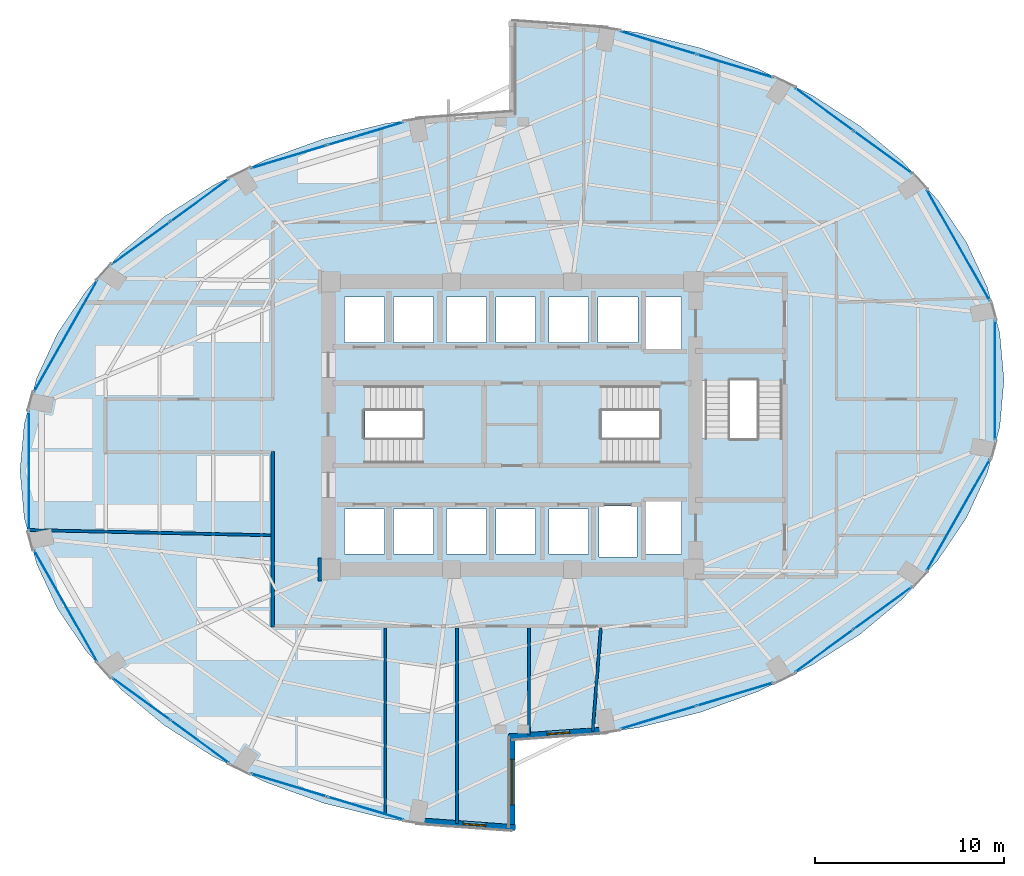
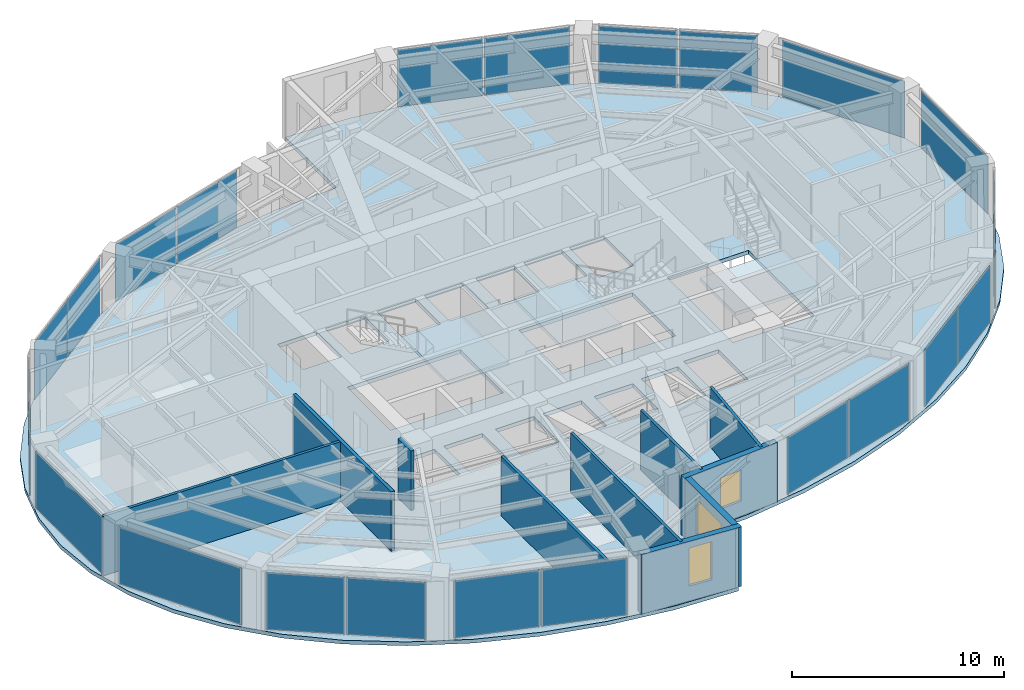
# One storey, part 18 of 23: 22 plates, 10 walls, 4 slabs, 3 windows, 3 openings, 17 elements without a shape of their own.
"""IFC4 building model written with IfcOpenShell, lengths in metres."""

import ifcopenshell
import ifcopenshell.guid

model = None  # the IFC model being written
_history = None  # IfcOwnerHistory: only IFC2X3 demands one
_inside = {}  # id of a spatial element -> (the spatial element, [elements in it])
_under = {}  # id of a project, library or spatial element -> (it, [spatial elements below it])
_declared = {}  # id of a project -> (the project, [libraries it declares])
_typed = {}  # id of a type object -> (the type object, [elements of that type])
_made_of = {}  # id of a material, layer set ... -> (it, [elements and type objects made of it])


def new_model(schema):
    """Start an empty IFC model of exactly this schema.

    Asked for "IFC4X3", IfcOpenShell would pick the latest addendum, in which some entities
    have other attributes; the version numbers below select the first issue.
    IFC2X3 requires an IfcOwnerHistory on every rooted entity: one is made here for all.
    """
    global model, _history
    if schema == "IFC4X3":
        model = ifcopenshell.file(schema_version=(4, 3, 0, 0))
    else:
        model = ifcopenshell.file(schema=schema)
    _inside.clear()
    _under.clear()
    _declared.clear()
    _typed.clear()
    _made_of.clear()
    _history = None
    if model.schema == "IFC2X3":
        org = make("IfcOrganization", Name="unknown")
        user = make(
            "IfcPersonAndOrganization",
            ThePerson=make("IfcPerson", FamilyName="unknown"),
            TheOrganization=org,
        )
        app = make(
            "IfcApplication",
            ApplicationDeveloper=org,
            Version="unknown",
            ApplicationFullName="unknown",
            ApplicationIdentifier="unknown",
        )
        _history = make(
            "IfcOwnerHistory",
            OwningUser=user,
            OwningApplication=app,
            ChangeAction="ADDED",
            CreationDate=0,
        )
    return model


def make(cls, **values):
    """One entity of the class cls with the attributes given. An attribute that is None is left unset."""
    return model.create_entity(
        cls, **{name: value for name, value in values.items() if value is not None}
    )


def rooted(cls, **values):
    """An entity with a GlobalId (a new one), such as an element, a storey or a relation."""
    return make(cls, GlobalId=ifcopenshell.guid.new(), OwnerHistory=_history, **values)


def si_unit(unit_type, name, prefix=None):
    """IfcSIUnit, for example si_unit("LENGTHUNIT", "METRE", prefix="MILLI")."""
    return make("IfcSIUnit", UnitType=unit_type, Prefix=prefix, Name=name)


def assignment(units):
    """IfcUnitAssignment: the units of a project."""
    return None if units is None else make("IfcUnitAssignment", Units=units)


def point(xyz):
    """IfcCartesianPoint."""
    return None if xyz is None else make("IfcCartesianPoint", Coordinates=xyz)


def direction(xyz):
    """IfcDirection."""
    return None if xyz is None else make("IfcDirection", DirectionRatios=xyz)


def frame(location, z_axis=None, x_axis=None):
    """IfcAxis2Placement3D, a coordinate frame: its origin and axes. An axis left out is left unset."""
    return make(
        "IfcAxis2Placement3D",
        Location=point(location),
        Axis=direction(z_axis),
        RefDirection=direction(x_axis),
    )


def frame_2d(location, x_axis=None):
    """IfcAxis2Placement2D, a coordinate frame in the plane: its origin and x axis."""
    return make(
        "IfcAxis2Placement2D", Location=point(location), RefDirection=direction(x_axis)
    )


def origin():
    """The frame at (0, 0, 0) with its axes left unset."""
    return frame((0.0, 0.0, 0.0))


def origin_2d():
    """The frame at (0, 0) in the plane with its x axis left unset."""
    return frame_2d((0.0, 0.0))


def place(relative_to, where):
    """IfcLocalPlacement: puts the frame where relative to a parent placement (None: the world)."""
    return make(
        "IfcLocalPlacement", PlacementRelTo=relative_to, RelativePlacement=where
    )


def context(
    kind, dimensions, precision=None, world=None, true_north=None, identifier=None
):
    """IfcGeometricRepresentationContext, for example the 3D "Model" context."""
    return make(
        "IfcGeometricRepresentationContext",
        ContextIdentifier=identifier,
        ContextType=kind,
        CoordinateSpaceDimension=dimensions,
        Precision=precision,
        WorldCoordinateSystem=world,
        TrueNorth=true_north,
    )


def subcontext(parent, identifier, kind, view, scale=None):
    """IfcGeometricRepresentationSubContext, for example "Body" below "Model"."""
    return make(
        "IfcGeometricRepresentationSubContext",
        ContextIdentifier=identifier,
        ContextType=kind,
        ParentContext=parent,
        TargetScale=scale,
        TargetView=view,
    )


def project(units=None, contexts=None):
    """IfcProject with its units and contexts."""
    return rooted(
        "IfcProject",
        Name="project",
        RepresentationContexts=contexts,
        UnitsInContext=assignment(units),
    )


def spatial(cls, under=None, at=None, **own):
    """A site, building, storey or space (cls), placed at a placement, below another one or the project."""
    s = rooted(cls, ObjectPlacement=at, **own)
    if under is not None:
        _under.setdefault(under.id(), (under, []))[1].append(s)
    return s


def polyline(points):
    """IfcPolyline through the points."""
    return make("IfcPolyline", Points=[point(p) for p in points])


def profile(cls, at=None, kind="AREA", **sizes):
    """A parametric profile (cls). Its sizes go by their IFC names, for example OverallWidth=200.0."""
    return make(cls, ProfileType=kind, Position=at, **sizes)


def rectangle(**sizes):
    """IfcRectangleProfileDef."""
    return profile("IfcRectangleProfileDef", **sizes)


def outline(outer, holes=None, kind="AREA"):
    """IfcArbitraryClosedProfileDef: a profile drawn as a closed curve; with holes, ...WithVoids."""
    if holes is None:
        return make("IfcArbitraryClosedProfileDef", ProfileType=kind, OuterCurve=outer)
    return make(
        "IfcArbitraryProfileDefWithVoids",
        ProfileType=kind,
        OuterCurve=outer,
        InnerCurves=holes,
    )


def extrude(swept, where, along, depth):
    """IfcExtrudedAreaSolid: the profile swept, set in the frame where, extruded along a direction by depth."""
    return make(
        "IfcExtrudedAreaSolid",
        SweptArea=swept,
        Position=where,
        ExtrudedDirection=direction(along),
        Depth=depth,
    )


def shape(context_of_items, identifier, shape_type, items):
    """IfcShapeRepresentation: the items that make up one representation, for example the "Body"."""
    return make(
        "IfcShapeRepresentation",
        ContextOfItems=context_of_items,
        RepresentationIdentifier=identifier,
        RepresentationType=shape_type,
        Items=items,
    )


def material(Name=None, Category=None):
    """IfcMaterial."""
    return make("IfcMaterial", Name=Name, Category=Category)


def layer(
    of_material, thickness, ventilated=None, Name=None, Category=None, Priority=None
):
    """IfcMaterialLayer: one layer of a wall or slab, of a material (None: an air gap)."""
    return make(
        "IfcMaterialLayer",
        Material=of_material,
        LayerThickness=thickness,
        IsVentilated=ventilated,
        Name=Name,
        Category=Category,
        Priority=Priority,
    )


def layer_set(layers, Name=None):
    """IfcMaterialLayerSet."""
    return make("IfcMaterialLayerSet", MaterialLayers=layers, LayerSetName=Name)


def made_of(thing, what):
    """Note that an element or type object is made of a material, layer set ...; save() writes the relation."""
    if what is not None:
        _made_of.setdefault(what.id(), (what, []))[1].append(thing)
    return thing


def type_object(cls, material=None, **own):
    """A type object (cls), such as IfcWallType, which elements share."""
    return made_of(rooted(cls, **own), material)


def element(
    cls,
    number,
    at=None,
    inside=None,
    cuts=None,
    type_object=None,
    material=None,
    context=None,
    identifier="Body",
    shape_type=None,
    held_by="IfcProductDefinitionShape",
    body=None,
    shapes=None,
    **own,
):
    """One element of the class cls, such as IfcWall. Its Tag is "e" and its number.

    at: its placement. inside: the storey or other place that contains it. cuts: it is an
    opening in that element (IfcRelVoidsElement). A single representation is given by context,
    identifier, shape_type and body (its items); several are given by shapes. held_by: the class
    of the entity that holds the representations. save() writes the other relations.
    """
    e = rooted(cls, Tag="e%d" % number, ObjectPlacement=at, **own)
    if body is not None:
        shapes = [shape(context, identifier, shape_type, body)]
    if shapes is not None:
        e.Representation = make(held_by, Representations=shapes)
    if inside is not None:
        _inside.setdefault(inside.id(), (inside, []))[1].append(e)
    if cuts is not None:
        rooted(
            "IfcRelVoidsElement", RelatingBuildingElement=cuts, RelatedOpeningElement=e
        )
    if type_object is not None:
        _typed.setdefault(type_object.id(), (type_object, []))[1].append(e)
    return made_of(e, material)


def fill(opening, filler):
    """IfcRelFillsElement: the door or window that sits in an opening."""
    return rooted(
        "IfcRelFillsElement",
        RelatingOpeningElement=opening,
        RelatedBuildingElement=filler,
    )


def aggregate(whole, parts):
    """IfcRelAggregates: a whole, such as a stair, and the parts it consists of."""
    return rooted("IfcRelAggregates", RelatingObject=whole, RelatedObjects=parts)


def save(model, path):
    """Write the relations noted so far, then the file.

    IfcRelAggregates (storeys below a building ...), IfcRelContainedInSpatialStructure (elements
    in a storey), IfcRelDefinesByType, IfcRelAssociatesMaterial and IfcRelDeclares: one each for
    every whole, place, type object, material and project.
    """
    for whole, parts in _under.values():
        aggregate(whole, parts)
    for where, things in _inside.values():
        rooted(
            "IfcRelContainedInSpatialStructure",
            RelatedElements=things,
            RelatingStructure=where,
        )
    for kind, things in _typed.values():
        rooted("IfcRelDefinesByType", RelatedObjects=things, RelatingType=kind)
    for what, things in _made_of.values():
        rooted("IfcRelAssociatesMaterial", RelatedObjects=things, RelatingMaterial=what)
    for by, libraries in _declared.values():
        rooted("IfcRelDeclares", RelatingContext=by, RelatedDefinitions=libraries)
    model.write(path)


model = new_model("IFC4")

# Units and contexts
model_context = context("Model", 3, precision=1e-05, world=origin(), true_north=direction((0.0, 1.0)))
body_context = subcontext(model_context, "Body", "Model", "MODEL_VIEW")
ifc_project = project(units=[si_unit("LENGTHUNIT", "METRE"), si_unit("AREAUNIT", "SQUARE_METRE"), si_unit("VOLUMEUNIT", "CUBIC_METRE"), si_unit("PLANEANGLEUNIT", "RADIAN"), si_unit("MASSUNIT", "GRAM", prefix="KILO")], contexts=[model_context])

# Site, building, storey
site_placement = place(None, origin())
site = spatial("IfcSite", under=ifc_project, at=site_placement, CompositionType="ELEMENT")
building_placement = place(site_placement, origin())
building = spatial("IfcBuilding", under=site, at=building_placement, Name="Lazwardi Medical Tower", CompositionType="ELEMENT")
storey_placement = place(building_placement, frame((0.0, 0.0, 85.39208984375)))
storey = spatial("IfcBuildingStorey", under=building, at=storey_placement, Name="L21", CompositionType="ELEMENT", Elevation=85.39208984375)

# Curtain wall, plates
ifc_material_1 = material(Name="Anodised bronze aluminium and solar control glazing", Category="aluminium")
ifc_layer_1 = layer(ifc_material_1, 0.195068359375)
ifc_layer_set_1 = layer_set([ifc_layer_1], Name="Anodised bronze aluminium and solar control glazing")
curtain_wall_type = type_object("IfcCurtainWallType", Name="CW-SYS-03", PredefinedType="NOTDEFINED", material=ifc_layer_set_1)
curtain_wall_1_placement = place(storey_placement, origin())
curtain_wall_1 = element("IfcCurtainWall", 1, at=curtain_wall_1_placement, inside=storey, type_object=curtain_wall_type, Name="L21 Unitised bronze curtain wall CW-03", PredefinedType="NOTDEFINED")
ifc_material_2 = material(Name="Low-e bronze solar control double glazing", Category="glass")
ifc_layer_2 = layer(ifc_material_2, 0.035888671875)
ifc_layer_set_2 = layer_set([ifc_layer_2], Name="Low-e bronze solar control double glazing")
plate_type = type_object("IfcPlateType", Name="PLT-GLZ-01", PredefinedType="CURTAIN_PANEL", material=ifc_layer_set_2)
plate_1_placement = place(storey_placement, frame((43.73974609375, 12.573486328125, 0.07470703125), z_axis=(0.0, 0.0, 1.0), x_axis=(0.957216170558, 0.28937381157, 0.0)))
plate_1 = element("IfcPlate", 2, at=plate_1_placement, type_object=plate_type, Name="CW-03 panel 1.1", PredefinedType="CURTAIN_PANEL", context=body_context, shape_type="SweptSolid", body=[
    extrude(rectangle(XDim=4.16552734375, YDim=0.035888671875, at=origin_2d()), origin(), (0.0, 0.0, 1.0), 3.278076171875),
])
plate_2_placement = place(storey_placement, frame((47.798828125, 13.800537109375, 0.07470703125), z_axis=(0.0, 0.0, 1.0), x_axis=(0.957216170558, 0.28937381157, 0.0)))
plate_2 = element("IfcPlate", 3, at=plate_2_placement, type_object=plate_type, Name="CW-03 panel 2.1", PredefinedType="CURTAIN_PANEL", context=body_context, shape_type="SweptSolid", body=[
    extrude(rectangle(XDim=4.16552734375, YDim=0.035888671875, at=origin_2d()), origin(), (0.0, 0.0, 1.0), 3.278076171875),
])
aggregate(curtain_wall_1, [plate_1, plate_2])

curtain_wall_2_placement = place(storey_placement, origin())
curtain_wall_2 = element("IfcCurtainWall", 4, at=curtain_wall_2_placement, inside=storey, type_object=curtain_wall_type, Name="L21 Unitised bronze curtain wall CW-03", PredefinedType="NOTDEFINED")
plate_3_placement = place(storey_placement, frame((52.4990234375, 16.093017578125, 0.07470703125), z_axis=(0.0, 0.0, 1.0), x_axis=(0.807745837639, 0.589530882802, 0.0)))
plate_3 = element("IfcPlate", 5, at=plate_3_placement, type_object=plate_type, Name="CW-03 panel 1.1", PredefinedType="CURTAIN_PANEL", context=body_context, shape_type="SweptSolid", body=[
    extrude(rectangle(XDim=3.767578125, YDim=0.035888671875, at=origin_2d()), origin(), (0.0, 0.0, 1.0), 3.278076171875),
])
plate_4_placement = place(storey_placement, frame((55.60302734375, 18.3583984375, 0.07470703125), z_axis=(0.0, 0.0, 1.0), x_axis=(0.807745837639, 0.589530882802, 0.0)))
plate_4 = element("IfcPlate", 6, at=plate_4_placement, type_object=plate_type, Name="CW-03 panel 2.1", PredefinedType="CURTAIN_PANEL", context=body_context, shape_type="SweptSolid", body=[
    extrude(rectangle(XDim=3.767578125, YDim=0.035888671875, at=origin_2d()), origin(), (0.0, 0.0, 1.0), 3.278076171875),
])
aggregate(curtain_wall_2, [plate_3, plate_4])

# Curtain wall, plate
curtain_wall_3_placement = place(storey_placement, origin())
curtain_wall_3 = element("IfcCurtainWall", 7, at=curtain_wall_3_placement, inside=storey, type_object=curtain_wall_type, Name="L21 Unitised bronze curtain wall CW-03", PredefinedType="NOTDEFINED")
plate_5_placement = place(storey_placement, frame((59.5849609375, 23.270263671875, 0.07470703125), z_axis=(0.0, 0.0, 1.0), x_axis=(0.493603140041, 0.869687265712, 0.0)))
plate_5 = element("IfcPlate", 8, at=plate_5_placement, type_object=plate_type, Name="CW-03 panel 1.1", PredefinedType="CURTAIN_PANEL", context=body_context, shape_type="SweptSolid", body=[
    extrude(rectangle(XDim=6.722900390625, YDim=0.035888671875, at=origin_2d()), origin(), (0.0, 0.0, 1.0), 3.278076171875),
])
aggregate(curtain_wall_3, [plate_5])

curtain_wall_4_placement = place(storey_placement, origin())
curtain_wall_4 = element("IfcCurtainWall", 9, at=curtain_wall_4_placement, inside=storey, type_object=curtain_wall_type, Name="L21 Unitised bronze curtain wall CW-03", PredefinedType="NOTDEFINED")
plate_6_placement = place(storey_placement, frame((61.528076171875, 30.39990234375, 0.07470703125), z_axis=(0.0, 0.0, 1.0), x_axis=(0.0, 1.0, 0.0)))
plate_6 = element("IfcPlate", 10, at=plate_6_placement, type_object=plate_type, Name="CW-03 panel 1.1", PredefinedType="CURTAIN_PANEL", context=body_context, shape_type="SweptSolid", body=[
    extrude(rectangle(XDim=6.31982421875, YDim=0.035888671875, at=origin_2d()), origin(), (0.0, 0.0, 1.0), 3.278076171875),
])
aggregate(curtain_wall_4, [plate_6])

curtain_wall_5_placement = place(storey_placement, origin())
curtain_wall_5 = element("IfcCurtainWall", 11, at=curtain_wall_5_placement, inside=storey, type_object=curtain_wall_type, Name="L21 Unitised bronze curtain wall CW-03", PredefinedType="NOTDEFINED")
plate_7_placement = place(storey_placement, frame((59.5849609375, 37.52978515625, 0.07470703125), z_axis=(0.0, 0.0, 1.0), x_axis=(-0.493603140041, 0.869687265712, 0.0)))
plate_7 = element("IfcPlate", 12, at=plate_7_placement, type_object=plate_type, Name="CW-03 panel 1.1", PredefinedType="CURTAIN_PANEL", context=body_context, shape_type="SweptSolid", body=[
    extrude(rectangle(XDim=6.722900390625, YDim=0.035888671875, at=origin_2d()), origin(), (0.0, 0.0, 1.0), 3.278076171875),
])
aggregate(curtain_wall_5, [plate_7])

# Curtain wall, plates
curtain_wall_6_placement = place(storey_placement, origin())
curtain_wall_6 = element("IfcCurtainWall", 13, at=curtain_wall_6_placement, inside=storey, type_object=curtain_wall_type, Name="L21 Unitised bronze curtain wall CW-03", PredefinedType="NOTDEFINED")
plate_8_placement = place(storey_placement, frame((55.60302734375, 42.441650390625, 0.07470703125), z_axis=(0.0, 0.0, 1.0), x_axis=(-0.807745837639, 0.589530882802, 0.0)))
plate_8 = element("IfcPlate", 14, at=plate_8_placement, type_object=plate_type, Name="CW-03 panel 1.1", PredefinedType="CURTAIN_PANEL", context=body_context, shape_type="SweptSolid", body=[
    extrude(rectangle(XDim=3.767578125, YDim=0.035888671875, at=origin_2d()), origin(), (0.0, 0.0, 1.0), 3.278076171875),
])
plate_9_placement = place(storey_placement, frame((52.4990234375, 44.70703125, 0.07470703125), z_axis=(0.0, 0.0, 1.0), x_axis=(-0.807745837639, 0.589530882802, 0.0)))
plate_9 = element("IfcPlate", 15, at=plate_9_placement, type_object=plate_type, Name="CW-03 panel 2.1", PredefinedType="CURTAIN_PANEL", context=body_context, shape_type="SweptSolid", body=[
    extrude(rectangle(XDim=3.767578125, YDim=0.035888671875, at=origin_2d()), origin(), (0.0, 0.0, 1.0), 3.278076171875),
])
aggregate(curtain_wall_6, [plate_8, plate_9])

curtain_wall_7_placement = place(storey_placement, origin())
curtain_wall_7 = element("IfcCurtainWall", 16, at=curtain_wall_7_placement, inside=storey, type_object=curtain_wall_type, Name="L21 Unitised bronze curtain wall CW-03", PredefinedType="NOTDEFINED")
plate_10_placement = place(storey_placement, frame((47.798828125, 46.99951171875, 0.07470703125), z_axis=(0.0, 0.0, 1.0), x_axis=(-0.957216170558, 0.28937381157, 0.0)))
plate_10 = element("IfcPlate", 17, at=plate_10_placement, type_object=plate_type, Name="CW-03 panel 1.1", PredefinedType="CURTAIN_PANEL", context=body_context, shape_type="SweptSolid", body=[
    extrude(rectangle(XDim=4.16552734375, YDim=0.035888671875, at=origin_2d()), origin(), (0.0, 0.0, 1.0), 3.278076171875),
])
plate_11_placement = place(storey_placement, frame((43.73974609375, 48.2265625, 0.07470703125), z_axis=(0.0, 0.0, 1.0), x_axis=(-0.957216170558, 0.28937381157, 0.0)))
plate_11 = element("IfcPlate", 18, at=plate_11_placement, type_object=plate_type, Name="CW-03 panel 2.1", PredefinedType="CURTAIN_PANEL", context=body_context, shape_type="SweptSolid", body=[
    extrude(rectangle(XDim=4.16552734375, YDim=0.035888671875, at=origin_2d()), origin(), (0.0, 0.0, 1.0), 3.278076171875),
])
aggregate(curtain_wall_7, [plate_10, plate_11])

curtain_wall_8_placement = place(storey_placement, origin())
curtain_wall_8 = element("IfcCurtainWall", 19, at=curtain_wall_8_placement, inside=storey, type_object=curtain_wall_type, Name="L21 Unitised bronze curtain wall CW-03", PredefinedType="NOTDEFINED")
plate_12_placement = place(storey_placement, frame((28.26025390625, 43.426513671875, 0.07470703125), z_axis=(0.0, 0.0, 1.0), x_axis=(-0.957216170558, -0.28937381157, 0.0)))
plate_12 = element("IfcPlate", 20, at=plate_12_placement, type_object=plate_type, Name="CW-03 panel 1.1", PredefinedType="CURTAIN_PANEL", context=body_context, shape_type="SweptSolid", body=[
    extrude(rectangle(XDim=4.16552734375, YDim=0.035888671875, at=origin_2d()), origin(), (0.0, 0.0, 1.0), 3.278076171875),
])
plate_13_placement = place(storey_placement, frame((24.201171875, 42.199462890625, 0.07470703125), z_axis=(0.0, 0.0, 1.0), x_axis=(-0.957216170558, -0.28937381157, 0.0)))
plate_13 = element("IfcPlate", 21, at=plate_13_placement, type_object=plate_type, Name="CW-03 panel 2.1", PredefinedType="CURTAIN_PANEL", context=body_context, shape_type="SweptSolid", body=[
    extrude(rectangle(XDim=4.16552734375, YDim=0.035888671875, at=origin_2d()), origin(), (0.0, 0.0, 1.0), 3.278076171875),
])
aggregate(curtain_wall_8, [plate_12, plate_13])

curtain_wall_9_placement = place(storey_placement, origin())
curtain_wall_9 = element("IfcCurtainWall", 22, at=curtain_wall_9_placement, inside=storey, type_object=curtain_wall_type, Name="L21 Unitised bronze curtain wall CW-03", PredefinedType="NOTDEFINED")
plate_14_placement = place(storey_placement, frame((19.5009765625, 39.906982421875, 0.07470703125), z_axis=(0.0, 0.0, 1.0), x_axis=(-0.807745837639, -0.589530882802, 0.0)))
plate_14 = element("IfcPlate", 23, at=plate_14_placement, type_object=plate_type, Name="CW-03 panel 1.1", PredefinedType="CURTAIN_PANEL", context=body_context, shape_type="SweptSolid", body=[
    extrude(rectangle(XDim=3.767578125, YDim=0.035888671875, at=origin_2d()), origin(), (0.0, 0.0, 1.0), 3.278076171875),
])
plate_15_placement = place(storey_placement, frame((16.39697265625, 37.6416015625, 0.07470703125), z_axis=(0.0, 0.0, 1.0), x_axis=(-0.807745837639, -0.589530882802, 0.0)))
plate_15 = element("IfcPlate", 24, at=plate_15_placement, type_object=plate_type, Name="CW-03 panel 2.1", PredefinedType="CURTAIN_PANEL", context=body_context, shape_type="SweptSolid", body=[
    extrude(rectangle(XDim=3.767578125, YDim=0.035888671875, at=origin_2d()), origin(), (0.0, 0.0, 1.0), 3.278076171875),
])
aggregate(curtain_wall_9, [plate_14, plate_15])

# Curtain wall, plate
curtain_wall_10_placement = place(storey_placement, origin())
curtain_wall_10 = element("IfcCurtainWall", 25, at=curtain_wall_10_placement, inside=storey, type_object=curtain_wall_type, Name="L21 Unitised bronze curtain wall CW-03", PredefinedType="NOTDEFINED")
plate_16_placement = place(storey_placement, frame((12.4150390625, 32.729736328125, 0.07470703125), z_axis=(0.0, 0.0, 1.0), x_axis=(-0.493603140041, -0.869687265712, 0.0)))
plate_16 = element("IfcPlate", 26, at=plate_16_placement, type_object=plate_type, Name="CW-03 panel 1.1", PredefinedType="CURTAIN_PANEL", context=body_context, shape_type="SweptSolid", body=[
    extrude(rectangle(XDim=6.722900390625, YDim=0.035888671875, at=origin_2d()), origin(), (0.0, 0.0, 1.0), 3.278076171875),
])
aggregate(curtain_wall_10, [plate_16])

curtain_wall_11_placement = place(storey_placement, origin())
curtain_wall_11 = element("IfcCurtainWall", 27, at=curtain_wall_11_placement, inside=storey, type_object=curtain_wall_type, Name="L21 Unitised bronze curtain wall CW-03", PredefinedType="NOTDEFINED")
plate_17_placement = place(storey_placement, frame((10.471923828125, 25.60009765625, 0.07470703125), z_axis=(0.0, 0.0, 1.0), x_axis=(0.0, -1.0, 0.0)))
plate_17 = element("IfcPlate", 28, at=plate_17_placement, type_object=plate_type, Name="CW-03 panel 1.1", PredefinedType="CURTAIN_PANEL", context=body_context, shape_type="SweptSolid", body=[
    extrude(rectangle(XDim=6.31982421875, YDim=0.035888671875, at=origin_2d()), origin(), (0.0, 0.0, 1.0), 3.278076171875),
])
aggregate(curtain_wall_11, [plate_17])

curtain_wall_12_placement = place(storey_placement, origin())
curtain_wall_12 = element("IfcCurtainWall", 29, at=curtain_wall_12_placement, inside=storey, type_object=curtain_wall_type, Name="L21 Unitised bronze curtain wall CW-03", PredefinedType="NOTDEFINED")
plate_18_placement = place(storey_placement, frame((12.4150390625, 18.47021484375, 0.07470703125), z_axis=(0.0, 0.0, 1.0), x_axis=(0.493603140041, -0.869687265712, 0.0)))
plate_18 = element("IfcPlate", 30, at=plate_18_placement, type_object=plate_type, Name="CW-03 panel 1.1", PredefinedType="CURTAIN_PANEL", context=body_context, shape_type="SweptSolid", body=[
    extrude(rectangle(XDim=6.722900390625, YDim=0.035888671875, at=origin_2d()), origin(), (0.0, 0.0, 1.0), 3.278076171875),
])
aggregate(curtain_wall_12, [plate_18])

# Curtain wall, plates
curtain_wall_13_placement = place(storey_placement, origin())
curtain_wall_13 = element("IfcCurtainWall", 31, at=curtain_wall_13_placement, inside=storey, type_object=curtain_wall_type, Name="L21 Unitised bronze curtain wall CW-03", PredefinedType="NOTDEFINED")
plate_19_placement = place(storey_placement, frame((16.39697265625, 13.558349609375, 0.07470703125), z_axis=(0.0, 0.0, 1.0), x_axis=(0.807745837639, -0.589530882802, 0.0)))
plate_19 = element("IfcPlate", 32, at=plate_19_placement, type_object=plate_type, Name="CW-03 panel 1.1", PredefinedType="CURTAIN_PANEL", context=body_context, shape_type="SweptSolid", body=[
    extrude(rectangle(XDim=3.767578125, YDim=0.035888671875, at=origin_2d()), origin(), (0.0, 0.0, 1.0), 3.278076171875),
])
plate_20_placement = place(storey_placement, frame((19.5009765625, 11.29296875, 0.07470703125), z_axis=(0.0, 0.0, 1.0), x_axis=(0.807745837639, -0.589530882802, 0.0)))
plate_20 = element("IfcPlate", 33, at=plate_20_placement, type_object=plate_type, Name="CW-03 panel 2.1", PredefinedType="CURTAIN_PANEL", context=body_context, shape_type="SweptSolid", body=[
    extrude(rectangle(XDim=3.767578125, YDim=0.035888671875, at=origin_2d()), origin(), (0.0, 0.0, 1.0), 3.278076171875),
])
aggregate(curtain_wall_13, [plate_19, plate_20])

curtain_wall_14_placement = place(storey_placement, origin())
curtain_wall_14 = element("IfcCurtainWall", 34, at=curtain_wall_14_placement, inside=storey, type_object=curtain_wall_type, Name="L21 Unitised bronze curtain wall CW-03", PredefinedType="NOTDEFINED")
plate_21_placement = place(storey_placement, frame((24.201171875, 9.00048828125, 0.07470703125), z_axis=(0.0, 0.0, 1.0), x_axis=(0.957216170558, -0.28937381157, 0.0)))
plate_21 = element("IfcPlate", 35, at=plate_21_placement, type_object=plate_type, Name="CW-03 panel 1.1", PredefinedType="CURTAIN_PANEL", context=body_context, shape_type="SweptSolid", body=[
    extrude(rectangle(XDim=4.16552734375, YDim=0.035888671875, at=origin_2d()), origin(), (0.0, 0.0, 1.0), 3.278076171875),
])
plate_22_placement = place(storey_placement, frame((28.26025390625, 7.7734375, 0.07470703125), z_axis=(0.0, 0.0, 1.0), x_axis=(0.957216170558, -0.28937381157, 0.0)))
plate_22 = element("IfcPlate", 36, at=plate_22_placement, type_object=plate_type, Name="CW-03 panel 2.1", PredefinedType="CURTAIN_PANEL", context=body_context, shape_type="SweptSolid", body=[
    extrude(rectangle(XDim=4.16552734375, YDim=0.035888671875, at=origin_2d()), origin(), (0.0, 0.0, 1.0), 3.278076171875),
])
aggregate(curtain_wall_14, [plate_21, plate_22])

# Stair, slab
ifc_material_3 = material(Name="Concrete C45/55", Category="concrete")
stair_type = type_object("IfcStairType", Name="STR-WRD", PredefinedType="HALF_TURN_STAIR", material=ifc_material_3)
stair_1_placement = place(storey_placement, origin())
stair_1 = element("IfcStair", 37, at=stair_1_placement, inside=storey, type_object=stair_type, Name="L21 Protected Exit Stair ST1", PredefinedType="HALF_TURN_STAIR")
ifc_layer_3 = layer(ifc_material_3, 0.199951171875)
ifc_layer_set_3 = layer_set([ifc_layer_3], Name="Concrete C45/55")
slab_type_1 = type_object("IfcSlabType", Name="SLB-LND-190", PredefinedType="LANDING", material=ifc_layer_set_3)
slab_1_placement = place(storey_placement, frame((0.0, 0.0, 1.6240234375)))
slab_1 = element("IfcSlab", 38, at=slab_1_placement, type_object=slab_type_1, Name="ST1 landing 1", PredefinedType="LANDING", context=body_context, shape_type="SweptSolid", body=[
    extrude(outline(polyline([(31.27490234375, 25.840087890625), (34.580078125, 25.840087890625), (34.580078125, 30.280029296875), (31.27490234375, 30.280029296875), (31.27490234375, 25.840087890625)])), origin(), (0.0, 0.0, 1.0), 0.199951171875),
])
aggregate(stair_1, [slab_1])

stair_2_placement = place(storey_placement, origin())
stair_2 = element("IfcStair", 39, at=stair_2_placement, inside=storey, type_object=stair_type, Name="L21 Protected Exit Stair ST2", PredefinedType="HALF_TURN_STAIR")
slab_2_placement = place(storey_placement, frame((0.0, 0.0, 1.6240234375)))
slab_2 = element("IfcSlab", 40, at=slab_2_placement, type_object=slab_type_1, Name="ST2 landing 1", PredefinedType="LANDING", context=body_context, shape_type="SweptSolid", body=[
    extrude(outline(polyline([(40.72509765625, 30.280029296875), (37.419921875, 30.280029296875), (37.419921875, 25.840087890625), (40.72509765625, 25.840087890625), (40.72509765625, 30.280029296875)])), origin(), (0.0, 0.0, 1.0), 0.199951171875),
])
aggregate(stair_2, [slab_2])

stair_3_placement = place(storey_placement, origin())
stair_3 = element("IfcStair", 41, at=stair_3_placement, inside=storey, type_object=stair_type, Name="L21 Protected Exit Stair ST3", PredefinedType="HALF_TURN_STAIR")
slab_3_placement = place(storey_placement, frame((0.0, 0.0, 1.6240234375)))
slab_3 = element("IfcSlab", 42, at=slab_3_placement, type_object=slab_type_1, Name="ST3 landing 1", PredefinedType="LANDING", context=body_context, shape_type="SweptSolid", body=[
    extrude(outline(polyline([(45.860107421875, 27.324951171875), (45.860107421875, 24.02001953125), (50.4599609375, 24.02001953125), (50.4599609375, 27.324951171875), (45.860107421875, 27.324951171875)])), origin(), (0.0, 0.0, 1.0), 0.199951171875),
])
aggregate(stair_3, [slab_3])

# Slab
ifc_material_4 = material(Name="Concrete C50/60", Category="concrete")
ifc_layer_4 = layer(ifc_material_4, 0.219970703125)
ifc_layer_set_4 = layer_set([ifc_layer_4], Name="Concrete C50/60")
slab_type_2 = type_object("IfcSlabType", Name="SLB-WRD-220", PredefinedType="FLOOR", material=ifc_layer_set_4)
slab_4_placement = place(storey_placement, frame((0.0, 0.0, -0.219970703125)))
element("IfcSlab", 43, at=slab_4_placement, inside=storey, type_object=slab_type_2, Name="Structural floor slab SF-03 L21", PredefinedType="FLOOR", context=body_context, shape_type="SweptSolid", body=[
    extrude(outline(polyline([(11.97900390625, 32.87109375), (10.885986328125, 30.517578125), (10.222412109375, 28.080078125), (10.0, 25.60009765625), (10.222412109375, 23.1201171875), (10.885986328125, 20.682373046875), (11.97900390625, 18.3291015625), (13.4833984375, 16.10009765625), (15.372802734375, 14.033447265625), (17.615234375, 12.1650390625), (20.172119140625, 10.5263671875), (23.0, 9.1455078125), (26.05029296875, 8.04638671875), (29.270751953125, 7.247314453125), (32.606201171875, 6.762451171875), (36.0, 6.60009765625), (36.0, 11.39990234375), (39.393798828125, 11.5625), (42.729248046875, 12.04736328125), (45.94970703125, 12.84619140625), (49.0, 13.945556640625), (51.827880859375, 15.326416015625), (54.384765625, 16.965087890625), (56.627197265625, 18.83349609375), (58.5166015625, 20.89990234375), (60.02099609375, 23.12890625), (61.114013671875, 25.482421875), (61.777587890625, 27.919921875), (62.0, 30.39990234375), (61.777587890625, 32.8798828125), (61.114013671875, 35.317626953125), (60.02099609375, 37.6708984375), (58.5166015625, 39.89990234375), (56.627197265625, 41.966552734375), (54.384765625, 43.8349609375), (51.827880859375, 45.4736328125), (49.0, 46.8544921875), (45.94970703125, 47.95361328125), (42.729248046875, 48.752685546875), (39.393798828125, 49.237548828125), (36.0, 49.39990234375), (36.0, 44.60009765625), (32.606201171875, 44.4375), (29.270751953125, 43.95263671875), (26.05029296875, 43.15380859375), (23.0, 42.054443359375), (20.172119140625, 40.673583984375), (17.615234375, 39.034912109375), (15.372802734375, 37.16650390625), (13.4833984375, 35.10009765625), (11.97900390625, 32.87109375)]), holes=[polyline([(28.22509765625, 26.02001953125), (28.22509765625, 30.10009765625), (34.39990234375, 30.10009765625), (34.39990234375, 26.02001953125), (28.22509765625, 26.02001953125)]), polyline([(37.60009765625, 30.10009765625), (43.77490234375, 30.10009765625), (43.77490234375, 26.02001953125), (37.60009765625, 26.02001953125), (37.60009765625, 30.10009765625)]), polyline([(50.280029296875, 30.375), (50.280029296875, 24.179931640625), (45.840087890625, 24.179931640625), (45.840087890625, 30.375), (50.280029296875, 30.375)]), polyline([(29.25, 32.39990234375), (27.14990234375, 32.39990234375), (27.14990234375, 34.800048828125), (29.25, 34.800048828125), (29.25, 32.39990234375)]), polyline([(29.75, 32.39990234375), (29.75, 34.800048828125), (31.85009765625, 34.800048828125), (31.85009765625, 32.39990234375), (29.75, 32.39990234375)]), polyline([(27.14990234375, 23.60009765625), (29.25, 23.60009765625), (29.25, 21.199951171875), (27.14990234375, 21.199951171875), (27.14990234375, 23.60009765625)]), polyline([(31.85009765625, 23.60009765625), (31.85009765625, 21.199951171875), (29.75, 21.199951171875), (29.75, 23.60009765625), (31.85009765625, 23.60009765625)]), polyline([(34.64990234375, 32.39990234375), (32.550048828125, 32.39990234375), (32.550048828125, 34.800048828125), (34.64990234375, 34.800048828125), (34.64990234375, 32.39990234375)]), polyline([(35.14990234375, 32.39990234375), (35.14990234375, 34.800048828125), (37.25, 34.800048828125), (37.25, 32.39990234375), (35.14990234375, 32.39990234375)]), polyline([(32.550048828125, 23.60009765625), (34.64990234375, 23.60009765625), (34.64990234375, 21.199951171875), (32.550048828125, 21.199951171875), (32.550048828125, 23.60009765625)]), polyline([(37.25, 23.60009765625), (37.25, 21.199951171875), (35.14990234375, 21.199951171875), (35.14990234375, 23.60009765625), (37.25, 23.60009765625)]), polyline([(40.050048828125, 32.39990234375), (37.949951171875, 32.39990234375), (37.949951171875, 34.800048828125), (40.050048828125, 34.800048828125), (40.050048828125, 32.39990234375)]), polyline([(40.550048828125, 32.39990234375), (40.550048828125, 34.800048828125), (42.64990234375, 34.800048828125), (42.64990234375, 32.39990234375), (40.550048828125, 32.39990234375)]), polyline([(37.949951171875, 23.60009765625), (40.050048828125, 23.60009765625), (40.050048828125, 21.199951171875), (37.949951171875, 21.199951171875), (37.949951171875, 23.60009765625)]), polyline([(44.949951171875, 34.800048828125), (44.949951171875, 32.0), (43.050048828125, 32.0), (43.050048828125, 34.800048828125), (44.949951171875, 34.800048828125)]), polyline([(44.949951171875, 21.199951171875), (43.050048828125, 21.199951171875), (43.050048828125, 24.0), (44.949951171875, 24.0), (44.949951171875, 21.199951171875)]), polyline([(40.60009765625, 21.050048828125), (40.60009765625, 23.75), (42.60009765625, 23.75), (42.60009765625, 21.050048828125), (40.60009765625, 21.050048828125)])]), origin(), (0.0, 0.0, 1.0), 0.219970703125),
])

# Walls
ifc_material_5 = material(Name="Fire-rated gypsum board on steel stud", Category="steel")
ifc_layer_5 = layer(ifc_material_5, 0.179931640625)
ifc_layer_set_5 = layer_set([ifc_layer_5], Name="Fire-rated gypsum board on steel stud")
wall_type_1 = type_object("IfcWallType", Name="WL-COR-180", PredefinedType="PARTITIONING", material=ifc_layer_set_5)
wall_1_placement = place(storey_placement, frame((25.830078125, 21.010009765625, 0.0), z_axis=(0.0, 0.0, 1.0), x_axis=(0.0, -1.0, 0.0)))
element("IfcWall", 44, at=wall_1_placement, inside=storey, type_object=wall_type_1, Name="L21 Corridor partition 12", PredefinedType="PARTITIONING", context=body_context, shape_type="SweptSolid", body=[
    extrude(rectangle(XDim=1.219970703125, YDim=0.179931640625, at=frame_2d((0.60986328125, 0.0))), origin(), (0.0, 0.0, 1.0), 3.427978515625),
])
wall_2_placement = place(storey_placement, frame((23.35009765625, 17.360107421875, 0.0), z_axis=(0.0, 0.0, 1.0), x_axis=(0.0, 1.0, 0.0)))
element("IfcWall", 45, at=wall_2_placement, inside=storey, type_object=wall_type_1, Name="L21 Corridor partition 15", PredefinedType="PARTITIONING", context=body_context, shape_type="SweptSolid", body=[
    extrude(rectangle(XDim=9.27978515625, YDim=0.179931640625, at=frame_2d((4.639892578125, 0.0))), origin(), (0.0, 0.0, 1.0), 3.427978515625),
])

# Wall, opening, window
ifc_material_6 = material(Name="Precast concrete C45/55", Category="concrete")
ifc_layer_6 = layer(ifc_material_6, 0.320068359375)
ifc_layer_set_6 = layer_set([ifc_layer_6], Name="Precast concrete C45/55")
wall_type_2 = type_object("IfcWallType", Name="WL-IWAN-320", PredefinedType="SOLIDWALL", material=ifc_layer_set_6)
wall_3_placement = place(storey_placement, frame((35.820556640625, 11.547119140625, 0.0), z_axis=(0.0, 0.0, 1.0), x_axis=(0.997432364291, 0.071614793619, 0.0)))
wall_3 = element("IfcWall", 46, at=wall_3_placement, inside=storey, type_object=wall_type_2, Name="L21 Iwan Portal Return Wall SE_ret", PredefinedType="SOLIDWALL", context=body_context, shape_type="SweptSolid", body=[
    extrude(rectangle(XDim=5.2841796875, YDim=0.320068359375, at=frame_2d((2.64208984375, 0.0))), origin(), (0.0, 0.0, 1.0), 3.427978515625),
])
opening_1_placement = place(wall_3_placement, frame((2.0419921875, 0.0, 0.85009765625)))
opening_1 = element("IfcOpeningElement", 47, at=opening_1_placement, cuts=wall_3, Name="Opening WN-04", PredefinedType="OPENING", context=body_context, shape_type="SweptSolid", body=[
    extrude(rectangle(XDim=1.199951171875, YDim=1.800048828125, at=frame_2d((0.60009765625, 0.89990234375))), frame((0.0, 0.169921875, 0.0), z_axis=(0.0, -1.0, 0.0), x_axis=(1.0, 0.0, 0.0)), (0.0, 0.0, 1.0), 0.340087890625),
])
window_type_1 = type_object("IfcWindowType", Name="WIN-DRUM-1200", PartitioningType="SINGLE_PANEL", PredefinedType="WINDOW", material=ifc_material_2)
window_1_placement = place(opening_1_placement, origin())
window_1 = element("IfcWindow", 48, at=window_1_placement, inside=storey, type_object=window_type_1, Name="L21 Iwan Slot Window SE_ret", OverallHeight=1.800048828125, OverallWidth=1.199951171875, PartitioningType="SINGLE_PANEL", PredefinedType="WINDOW", context=body_context, shape_type="SweptSolid", body=[
    extrude(rectangle(XDim=1.199951171875, YDim=1.800048828125, at=frame_2d((0.60009765625, 0.89990234375))), frame((0.0, 0.030029296875, 0.0), z_axis=(0.0, -1.0, 0.0), x_axis=(1.0, 0.0, 0.0)), (0.0, 0.0, 1.0), 0.06005859375),
])
fill(opening_1, window_1)

wall_4_placement = place(storey_placement, frame((30.908935546875, 7.12548828125, 0.0), z_axis=(0.0, 0.0, 1.0), x_axis=(0.997431890304, -0.071621394884, 0.0)))
wall_4 = element("IfcWall", 49, at=wall_4_placement, inside=storey, type_object=wall_type_2, Name="L21 Iwan Portal Return Wall SW_ret", PredefinedType="SOLIDWALL", context=body_context, shape_type="SweptSolid", body=[
    extrude(rectangle(XDim=5.28369140625, YDim=0.320068359375, at=frame_2d((2.641845703125, 0.0))), origin(), (0.0, 0.0, 1.0), 3.427978515625),
])
opening_2_placement = place(wall_4_placement, frame((2.51123046875, 0.0, 0.85009765625)))
opening_2 = element("IfcOpeningElement", 50, at=opening_2_placement, cuts=wall_4, Name="Opening WN-01", PredefinedType="OPENING", context=body_context, shape_type="SweptSolid", body=[
    extrude(rectangle(XDim=1.199951171875, YDim=2.199951171875, at=frame_2d((0.60009765625, 1.10009765625))), frame((0.0, 0.169921875, 0.0), z_axis=(0.0, -1.0, 0.0), x_axis=(1.0, 0.0, 0.0)), (0.0, 0.0, 1.0), 0.340087890625),
])
window_type_2 = type_object("IfcWindowType", Name="WIN-IW-1200", PartitioningType="SINGLE_PANEL", PredefinedType="WINDOW", material=ifc_material_2)
window_2_placement = place(opening_2_placement, origin())
window_2 = element("IfcWindow", 51, at=window_2_placement, inside=storey, type_object=window_type_2, Name="L21 Iwan Slot Window SW_ret", OverallHeight=2.199951171875, OverallWidth=1.199951171875, PartitioningType="SINGLE_PANEL", PredefinedType="WINDOW", context=body_context, shape_type="SweptSolid", body=[
    extrude(rectangle(XDim=1.199951171875, YDim=2.199951171875, at=frame_2d((0.60009765625, 1.10009765625))), frame((0.0, 0.030029296875, 0.0), z_axis=(0.0, -1.0, 0.0), x_axis=(1.0, 0.0, 0.0)), (0.0, 0.0, 1.0), 0.06005859375),
])
fill(opening_2, window_2)

wall_5_placement = place(storey_placement, frame((36.0, 6.60009765625, 0.0), z_axis=(0.0, 0.0, 1.0), x_axis=(0.0, 1.0, 0.0)))
wall_5 = element("IfcWall", 52, at=wall_5_placement, inside=storey, type_object=wall_type_2, Name="L21 Turquoise Tilework Iwan Seam Wall S_seam", PredefinedType="SOLIDWALL", context=body_context, shape_type="SweptSolid", body=[
    extrude(rectangle(XDim=5.119873046875, YDim=0.320068359375, at=frame_2d((2.56005859375, 0.0))), origin(), (0.0, 0.0, 1.0), 3.427978515625),
])
opening_3_placement = place(wall_5_placement, frame((1.360107421875, 0.0, 0.840087890625)))
opening_3 = element("IfcOpeningElement", 53, at=opening_3_placement, cuts=wall_5, Name="Opening WN-02", PredefinedType="OPENING", context=body_context, shape_type="SweptSolid", body=[
    extrude(rectangle(XDim=2.39990234375, YDim=2.0400390625, at=frame_2d((1.199951171875, 1.02001953125))), frame((0.0, 0.169921875, 0.0), z_axis=(0.0, -1.0, 0.0), x_axis=(1.0, 0.0, 0.0)), (0.0, 0.0, 1.0), 0.340087890625),
])
window_type_3 = type_object("IfcWindowType", Name="WIN-IW-2400", PartitioningType="SINGLE_PANEL", PredefinedType="WINDOW", material=ifc_material_2)
window_3_placement = place(opening_3_placement, origin())
window_3 = element("IfcWindow", 54, at=window_3_placement, inside=storey, type_object=window_type_3, Name="L21 Iwan Seam Window S_seam", OverallHeight=2.0400390625, OverallWidth=2.39990234375, PartitioningType="SINGLE_PANEL", PredefinedType="WINDOW", context=body_context, shape_type="SweptSolid", body=[
    extrude(rectangle(XDim=2.39990234375, YDim=2.0400390625, at=frame_2d((1.199951171875, 1.02001953125))), frame((0.0, 0.030029296875, 0.0), z_axis=(0.0, -1.0, 0.0), x_axis=(1.0, 0.0, 0.0)), (0.0, 0.0, 1.0), 0.06005859375),
])
fill(opening_3, window_3)

# Walls
ifc_material_7 = material(Name="Acoustic gypsum board partition")
ifc_layer_7 = layer(ifc_material_7, 0.14990234375)
ifc_layer_set_7 = layer_set([ifc_layer_7], Name="Acoustic gypsum board partition")
wall_type_3 = type_object("IfcWallType", Name="WL-WRD-150", PredefinedType="PARTITIONING", material=ifc_layer_set_7)
wall_6_placement = place(storey_placement, frame((10.46533203125, 22.47900390625, 0.0), z_axis=(0.0, 0.0, 1.0), x_axis=(0.999765147572, -0.021671402821, 0.0)))
element("IfcWall", 55, at=wall_6_placement, inside=storey, type_object=wall_type_3, Name="L21 Room partition 1", PredefinedType="PARTITIONING", context=body_context, shape_type="SweptSolid", body=[
    extrude(rectangle(XDim=12.797607421875, YDim=0.14990234375, at=frame_2d((6.39892578125, 0.0))), origin(), (0.0, 0.0, 1.0), 3.427978515625),
])
wall_7_placement = place(storey_placement, frame((29.300048828125, 7.47314453125, 0.0), z_axis=(0.0, 0.0, 1.0), x_axis=(0.0, 1.0, 0.0)))
element("IfcWall", 56, at=wall_7_placement, inside=storey, type_object=wall_type_3, Name="L21 Room partition 10", PredefinedType="PARTITIONING", context=body_context, shape_type="SweptSolid", body=[
    extrude(rectangle(XDim=9.8369140625, YDim=0.14990234375, at=frame_2d((4.91845703125, 0.0))), origin(), (0.0, 0.0, 1.0), 3.427978515625),
])
wall_8_placement = place(storey_placement, frame((33.10009765625, 6.970703125, 0.0), z_axis=(0.0, 0.0, 1.0), x_axis=(0.0, 1.0, 0.0)))
element("IfcWall", 57, at=wall_8_placement, inside=storey, type_object=wall_type_3, Name="L21 Room partition 11", PredefinedType="PARTITIONING", context=body_context, shape_type="SweptSolid", body=[
    extrude(rectangle(XDim=10.33935546875, YDim=0.14990234375, at=frame_2d((5.169677734375, 0.0))), origin(), (0.0, 0.0, 1.0), 3.427978515625),
])
wall_9_placement = place(storey_placement, frame((36.89990234375, 11.6494140625, 0.0), z_axis=(0.0, 0.0, 1.0), x_axis=(0.0, 1.0, 0.0)))
element("IfcWall", 58, at=wall_9_placement, inside=storey, type_object=wall_type_3, Name="L21 Room partition 12", PredefinedType="PARTITIONING", context=body_context, shape_type="SweptSolid", body=[
    extrude(rectangle(XDim=5.66064453125, YDim=0.14990234375, at=frame_2d((2.830322265625, 0.0))), origin(), (0.0, 0.0, 1.0), 3.427978515625),
])
wall_10_placement = place(storey_placement, frame((40.264892578125, 11.83837890625, 0.0), z_axis=(0.0, 0.0, 1.0), x_axis=(0.078196446306, 0.996937969878, 0.0)))
element("IfcWall", 59, at=wall_10_placement, inside=storey, type_object=wall_type_3, Name="L21 Room partition 13", PredefinedType="PARTITIONING", context=body_context, shape_type="SweptSolid", body=[
    extrude(rectangle(XDim=5.48876953125, YDim=0.14990234375, at=frame_2d((2.744384765625, 0.0))), origin(), (0.0, 0.0, 1.0), 3.427978515625),
])

save(model, "model.ifc")
